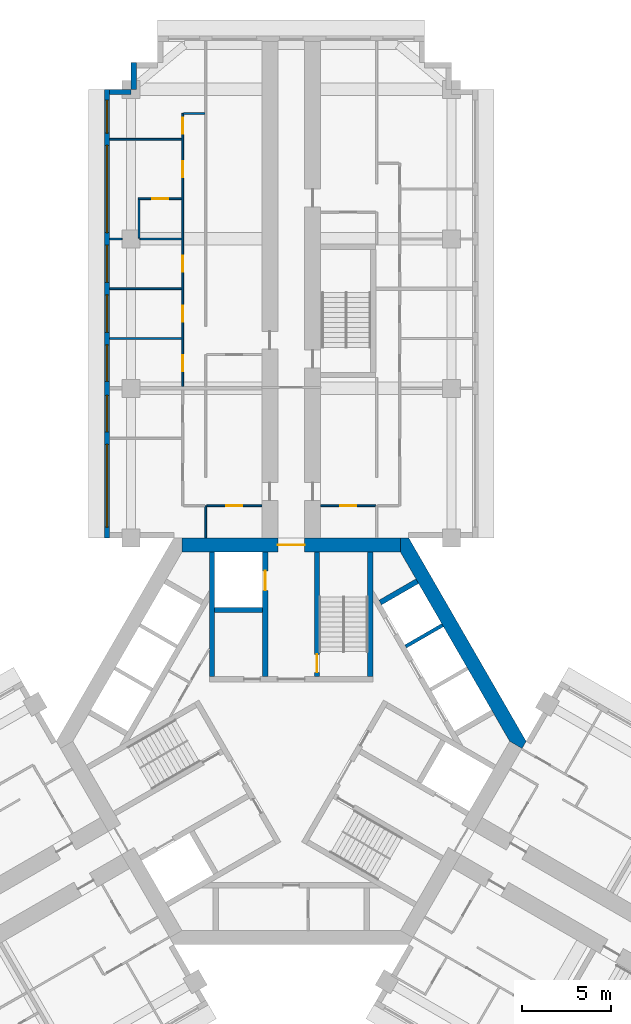
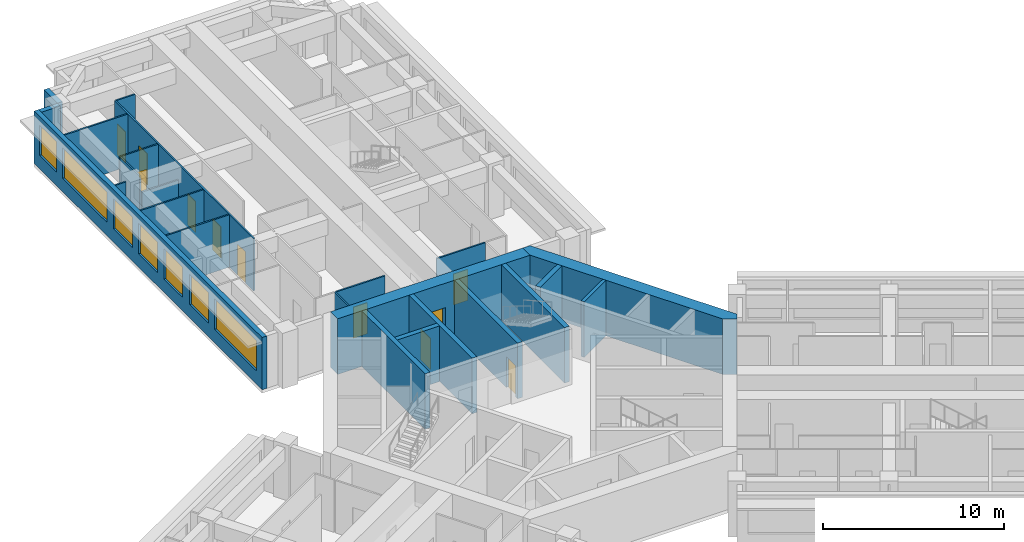
# One storey, part 8 of 12: 24 walls, 11 doors, 7 windows, 18 openings.
"""IFC4 building model written with IfcOpenShell, lengths in metres."""

from ifc_helpers import new_model, si_unit, direction, frame, frame_2d, origin, place, context, subcontext, project, spatial, polyline, rectangle, outline, extrude, material, layer, layer_set, type_object, element, fill, save


model = new_model("IFC4")

# Units and contexts
model_context = context("Model", 3, precision=1e-05, world=origin(), true_north=direction((0.0, 1.0)))
body_context = subcontext(model_context, "Body", "Model", "MODEL_VIEW")
ifc_project = project(units=[si_unit("LENGTHUNIT", "METRE"), si_unit("AREAUNIT", "SQUARE_METRE"), si_unit("VOLUMEUNIT", "CUBIC_METRE"), si_unit("PLANEANGLEUNIT", "RADIAN"), si_unit("MASSUNIT", "GRAM", prefix="KILO")], contexts=[model_context])

# Site, building, storey
site_placement = place(None, origin())
site = spatial("IfcSite", under=ifc_project, at=site_placement, CompositionType="ELEMENT")
building_placement = place(site_placement, origin())
building = spatial("IfcBuilding", under=site, at=building_placement, Name="Impinga Residences", CompositionType="ELEMENT")
storey_placement = place(building_placement, frame((0.0, 0.0, 169.75)))
storey = spatial("IfcBuildingStorey", under=building, at=storey_placement, Name="L42", CompositionType="ELEMENT", Elevation=169.75)

# Wall, openings, windows
ifc_material_1 = material(Name="Terracotta rainscreen on blockwork", Category="masonry")
ifc_layer_1 = layer(ifc_material_1, 0.300048828125)
ifc_layer_set_1 = layer_set([ifc_layer_1], Name="EW1 external wall, terracotta rainscreen on blockwork 300")
wall_type_1 = type_object("IfcWallType", Name="EW1 external wall, terracotta rainscreen on blockwork 300", PredefinedType="SOLIDWALL", material=ifc_layer_set_1)
wall_1_placement = place(storey_placement, frame((-10.35009765625, 11.431640625, 0.0), z_axis=(0.0, 0.0, 1.0), x_axis=(0.0, 1.0, 0.0)))
wall_1 = element("IfcWall", 1, at=wall_1_placement, inside=storey, type_object=wall_type_1, Name="External wall EW1 L42", PredefinedType="SOLIDWALL", context=body_context, shape_type="SweptSolid", body=[
    extrude(rectangle(XDim=25.199951171875, YDim=0.300048828125, at=frame_2d((12.60009765625, 0.0))), origin(), (0.0, 0.0, 1.0), 3.530029296875),
])
opening_1_placement = place(wall_1_placement, frame((0.60009765625, 0.0, 0.89990234375)))
opening_1 = element("IfcOpeningElement", 2, at=opening_1_placement, cuts=wall_1, Name="Opening W10", PredefinedType="OPENING", context=body_context, shape_type="SweptSolid", body=[
    extrude(rectangle(XDim=4.64990234375, YDim=2.050048828125, at=frame_2d((2.324951171875, 1.02490234375))), frame((0.0, 0.159912109375, 0.0), z_axis=(0.0, -1.0, 0.0), x_axis=(1.0, 0.0, 0.0)), (0.0, 0.0, 1.0), 0.320068359375),
])
opening_2_placement = place(wall_1_placement, frame((5.949951171875, 0.0, 0.89990234375)))
opening_2 = element("IfcOpeningElement", 3, at=opening_2_placement, cuts=wall_1, Name="Opening W14", PredefinedType="OPENING", context=body_context, shape_type="SweptSolid", body=[
    extrude(rectangle(XDim=2.050048828125, YDim=2.050048828125, at=frame_2d((1.02490234375, 1.02490234375))), frame((0.0, 0.159912109375, 0.0), z_axis=(0.0, -1.0, 0.0), x_axis=(1.0, 0.0, 0.0)), (0.0, 0.0, 1.0), 0.320068359375),
])
opening_3_placement = place(wall_1_placement, frame((8.800048828125, 0.0, 0.89990234375)))
opening_3 = element("IfcOpeningElement", 4, at=opening_3_placement, cuts=wall_1, Name="Opening W14", PredefinedType="OPENING", context=body_context, shape_type="SweptSolid", body=[
    extrude(rectangle(XDim=2.050048828125, YDim=2.050048828125, at=frame_2d((1.02490234375, 1.02490234375))), frame((0.0, 0.159912109375, 0.0), z_axis=(0.0, -1.0, 0.0), x_axis=(1.0, 0.0, 0.0)), (0.0, 0.0, 1.0), 0.320068359375),
])
opening_4_placement = place(wall_1_placement, frame((11.550048828125, 0.0, 0.89990234375)))
opening_4 = element("IfcOpeningElement", 5, at=opening_4_placement, cuts=wall_1, Name="Opening W9", PredefinedType="OPENING", context=body_context, shape_type="SweptSolid", body=[
    extrude(rectangle(XDim=2.10009765625, YDim=2.050048828125, at=frame_2d((1.050048828125, 1.02490234375))), frame((0.0, 0.159912109375, 0.0), z_axis=(0.0, -1.0, 0.0), x_axis=(1.0, 0.0, 0.0)), (0.0, 0.0, 1.0), 0.320068359375),
])
opening_5_placement = place(wall_1_placement, frame((14.35009765625, 0.0, 0.89990234375)))
opening_5 = element("IfcOpeningElement", 6, at=opening_5_placement, cuts=wall_1, Name="Opening W9", PredefinedType="OPENING", context=body_context, shape_type="SweptSolid", body=[
    extrude(rectangle(XDim=2.10009765625, YDim=2.050048828125, at=frame_2d((1.050048828125, 1.02490234375))), frame((0.0, 0.159912109375, 0.0), z_axis=(0.0, -1.0, 0.0), x_axis=(1.0, 0.0, 0.0)), (0.0, 0.0, 1.0), 0.320068359375),
])
opening_6_placement = place(wall_1_placement, frame((17.14990234375, 0.0, 0.89990234375)))
opening_6 = element("IfcOpeningElement", 7, at=opening_6_placement, cuts=wall_1, Name="Opening W16", PredefinedType="OPENING", context=body_context, shape_type="SweptSolid", body=[
    extrude(rectangle(XDim=4.89990234375, YDim=2.050048828125, at=frame_2d((2.449951171875, 1.02490234375))), frame((0.0, 0.159912109375, 0.0), z_axis=(0.0, -1.0, 0.0), x_axis=(1.0, 0.0, 0.0)), (0.0, 0.0, 1.0), 0.320068359375),
])
opening_7_placement = place(wall_1_placement, frame((22.75, 0.0, 0.89990234375)))
opening_7 = element("IfcOpeningElement", 8, at=opening_7_placement, cuts=wall_1, Name="Opening W15", PredefinedType="OPENING", context=body_context, shape_type="SweptSolid", body=[
    extrude(rectangle(XDim=1.85009765625, YDim=2.050048828125, at=frame_2d((0.925048828125, 1.02490234375))), frame((0.0, 0.159912109375, 0.0), z_axis=(0.0, -1.0, 0.0), x_axis=(1.0, 0.0, 0.0)), (0.0, 0.0, 1.0), 0.320068359375),
])
ifc_material_2 = material(Name="Aluminium window, clear double glazing", Category="aluminium")
window_type_1 = type_object("IfcWindowType", Name="W10 ribbon window 4650x2050", PartitioningType="SINGLE_PANEL", PredefinedType="WINDOW", material=ifc_material_2)
window_1_placement = place(opening_1_placement, origin())
window_1 = element("IfcWindow", 9, at=window_1_placement, inside=storey, type_object=window_type_1, Name="Window L42", OverallHeight=2.050048828125, OverallWidth=4.64990234375, PartitioningType="SINGLE_PANEL", PredefinedType="WINDOW", context=body_context, shape_type="SweptSolid", body=[
    extrude(rectangle(XDim=4.64990234375, YDim=2.050048828125, at=frame_2d((2.324951171875, 1.02490234375))), frame((0.0, 0.030029296875, 0.0), z_axis=(0.0, -1.0, 0.0), x_axis=(1.0, 0.0, 0.0)), (0.0, 0.0, 1.0), 0.06005859375),
])
fill(opening_1, window_1)
window_type_2 = type_object("IfcWindowType", Name="W14 ribbon window 2050x2050", PartitioningType="SINGLE_PANEL", PredefinedType="WINDOW", material=ifc_material_2)
window_2_placement = place(opening_2_placement, origin())
window_2 = element("IfcWindow", 10, at=window_2_placement, inside=storey, type_object=window_type_2, Name="Window L42", OverallHeight=2.050048828125, OverallWidth=2.050048828125, PartitioningType="SINGLE_PANEL", PredefinedType="WINDOW", context=body_context, shape_type="SweptSolid", body=[
    extrude(rectangle(XDim=2.050048828125, YDim=2.050048828125, at=frame_2d((1.02490234375, 1.02490234375))), frame((0.0, 0.030029296875, 0.0), z_axis=(0.0, -1.0, 0.0), x_axis=(1.0, 0.0, 0.0)), (0.0, 0.0, 1.0), 0.06005859375),
])
fill(opening_2, window_2)
window_3_placement = place(opening_3_placement, origin())
window_3 = element("IfcWindow", 11, at=window_3_placement, inside=storey, type_object=window_type_2, Name="Window L42", OverallHeight=2.050048828125, OverallWidth=2.050048828125, PartitioningType="SINGLE_PANEL", PredefinedType="WINDOW", context=body_context, shape_type="SweptSolid", body=[
    extrude(rectangle(XDim=2.050048828125, YDim=2.050048828125, at=frame_2d((1.02490234375, 1.02490234375))), frame((0.0, 0.030029296875, 0.0), z_axis=(0.0, -1.0, 0.0), x_axis=(1.0, 0.0, 0.0)), (0.0, 0.0, 1.0), 0.06005859375),
])
fill(opening_3, window_3)
window_type_3 = type_object("IfcWindowType", Name="W15 ribbon window 1850x2050", PartitioningType="SINGLE_PANEL", PredefinedType="WINDOW", material=ifc_material_2)
window_4_placement = place(opening_7_placement, origin())
window_4 = element("IfcWindow", 12, at=window_4_placement, inside=storey, type_object=window_type_3, Name="Window L42", OverallHeight=2.050048828125, OverallWidth=1.85009765625, PartitioningType="SINGLE_PANEL", PredefinedType="WINDOW", context=body_context, shape_type="SweptSolid", body=[
    extrude(rectangle(XDim=1.85009765625, YDim=2.050048828125, at=frame_2d((0.925048828125, 1.02490234375))), frame((0.0, 0.030029296875, 0.0), z_axis=(0.0, -1.0, 0.0), x_axis=(1.0, 0.0, 0.0)), (0.0, 0.0, 1.0), 0.06005859375),
])
fill(opening_7, window_4)
window_type_4 = type_object("IfcWindowType", Name="W16 ribbon window 4900x2050", PartitioningType="SINGLE_PANEL", PredefinedType="WINDOW", material=ifc_material_2)
window_5_placement = place(opening_6_placement, origin())
window_5 = element("IfcWindow", 13, at=window_5_placement, inside=storey, type_object=window_type_4, Name="Window L42", OverallHeight=2.050048828125, OverallWidth=4.89990234375, PartitioningType="SINGLE_PANEL", PredefinedType="WINDOW", context=body_context, shape_type="SweptSolid", body=[
    extrude(rectangle(XDim=4.89990234375, YDim=2.050048828125, at=frame_2d((2.449951171875, 1.02490234375))), frame((0.0, 0.030029296875, 0.0), z_axis=(0.0, -1.0, 0.0), x_axis=(1.0, 0.0, 0.0)), (0.0, 0.0, 1.0), 0.06005859375),
])
fill(opening_6, window_5)
window_type_5 = type_object("IfcWindowType", Name="W9 ribbon window 2100x2050", PartitioningType="SINGLE_PANEL", PredefinedType="WINDOW", material=ifc_material_2)
window_6_placement = place(opening_4_placement, origin())
window_6 = element("IfcWindow", 14, at=window_6_placement, inside=storey, type_object=window_type_5, Name="Window L42", OverallHeight=2.050048828125, OverallWidth=2.10009765625, PartitioningType="SINGLE_PANEL", PredefinedType="WINDOW", context=body_context, shape_type="SweptSolid", body=[
    extrude(rectangle(XDim=2.10009765625, YDim=2.050048828125, at=frame_2d((1.050048828125, 1.02490234375))), frame((0.0, 0.030029296875, 0.0), z_axis=(0.0, -1.0, 0.0), x_axis=(1.0, 0.0, 0.0)), (0.0, 0.0, 1.0), 0.06005859375),
])
fill(opening_4, window_6)
window_7_placement = place(opening_5_placement, origin())
window_7 = element("IfcWindow", 15, at=window_7_placement, inside=storey, type_object=window_type_5, Name="Window L42", OverallHeight=2.050048828125, OverallWidth=2.10009765625, PartitioningType="SINGLE_PANEL", PredefinedType="WINDOW", context=body_context, shape_type="SweptSolid", body=[
    extrude(rectangle(XDim=2.10009765625, YDim=2.050048828125, at=frame_2d((1.050048828125, 1.02490234375))), frame((0.0, 0.030029296875, 0.0), z_axis=(0.0, -1.0, 0.0), x_axis=(1.0, 0.0, 0.0)), (0.0, 0.0, 1.0), 0.06005859375),
])
fill(opening_5, window_7)

# Walls
wall_2_placement = place(storey_placement, frame((-10.199951171875, 36.4814453125, 0.0), z_axis=(0.0, 0.0, 1.0), x_axis=(1.0, 0.0, 0.0)))
element("IfcWall", 16, at=wall_2_placement, inside=storey, type_object=wall_type_1, Name="External wall EW1 L42", PredefinedType="SOLIDWALL", context=body_context, shape_type="SweptSolid", body=[
    extrude(rectangle(XDim=1.199951171875, YDim=0.300048828125, at=frame_2d((0.60009765625, 0.0))), origin(), (0.0, 0.0, 1.0), 3.530029296875),
])
wall_3_placement = place(storey_placement, frame((-8.85009765625, 36.636474609375, 0.0), z_axis=(0.0, 0.0, 1.0), x_axis=(0.0, 1.0, 0.0)))
element("IfcWall", 17, at=wall_3_placement, inside=storey, type_object=wall_type_1, Name="External wall EW1 L42", PredefinedType="SOLIDWALL", context=body_context, shape_type="SweptSolid", body=[
    extrude(rectangle(XDim=1.4951171875, YDim=0.300048828125, at=frame_2d((0.74755859375, 0.0))), origin(), (0.0, 0.0, 1.0), 3.530029296875),
])
ifc_material_3 = material(Name="Gypsum board on steel studs", Category="steel")
ifc_layer_2 = layer(ifc_material_3, 0.10009765625)
ifc_layer_set_2 = layer_set([ifc_layer_2], Name="Gypsum board on steel studs")
wall_type_2 = type_object("IfcWallType", Name="IP1 partition 100", PredefinedType="PARTITIONING", material=ifc_layer_set_2)
wall_4_placement = place(storey_placement, frame((-4.800048828125, 11.431640625, 0.0), z_axis=(0.0, 0.0, 1.0), x_axis=(0.0, 1.0, 0.0)))
element("IfcWall", 18, at=wall_4_placement, inside=storey, type_object=wall_type_2, Name="Partition L42-NA1:DIV0", PredefinedType="PARTITIONING", context=body_context, shape_type="SweptSolid", body=[
    extrude(rectangle(XDim=1.7998046875, YDim=0.10009765625, at=frame_2d((0.89990234375, 0.0))), origin(), (0.0, 0.0, 1.0), 3.530029296875),
])

# Wall, opening, door
wall_5_placement = place(storey_placement, frame((-1.64990234375, 13.2314453125, 0.0), z_axis=(0.0, 0.0, 1.0), x_axis=(-1.0, 0.0, 0.0)))
wall_5 = element("IfcWall", 19, at=wall_5_placement, inside=storey, type_object=wall_type_2, Name="Partition L42-NA1:IB1", PredefinedType="PARTITIONING", context=body_context, shape_type="SweptSolid", body=[
    extrude(rectangle(XDim=3.10009765625, YDim=0.10009765625, at=frame_2d((1.550048828125, 0.0))), origin(), (0.0, 0.0, 1.0), 3.530029296875),
])
opening_8_placement = place(wall_5_placement, frame((1.10009765625, 0.0, 0.0)))
opening_8 = element("IfcOpeningElement", 20, at=opening_8_placement, cuts=wall_5, Name="Opening D2", PredefinedType="OPENING", context=body_context, shape_type="SweptSolid", body=[
    extrude(rectangle(XDim=0.89990234375, YDim=2.10009765625, at=frame_2d((0.449951171875, 1.050048828125))), frame((0.0, 0.06005859375, 0.0), z_axis=(0.0, -1.0, 0.0), x_axis=(1.0, 0.0, 0.0)), (0.0, 0.0, 1.0), 0.1201171875),
])
ifc_material_4 = material(Name="Timber door set", Category="wood")
door_type_1 = type_object("IfcDoorType", Name="D2 internal door 900x2100", OperationType="SINGLE_SWING_LEFT", PredefinedType="DOOR", material=ifc_material_4)
door_1_placement = place(opening_8_placement, origin())
door_1 = element("IfcDoor", 21, at=door_1_placement, inside=storey, type_object=door_type_1, Name="Apartment L42-NA1 bathroom door", OperationType="SINGLE_SWING_LEFT", OverallHeight=2.10009765625, OverallWidth=0.89990234375, PredefinedType="DOOR", context=body_context, shape_type="SweptSolid", body=[
    extrude(rectangle(XDim=0.89990234375, YDim=2.10009765625, at=frame_2d((0.449951171875, 1.050048828125))), frame((0.0, 0.02490234375, 0.0), z_axis=(0.0, -1.0, 0.0), x_axis=(1.0, 0.0, 0.0)), (0.0, 0.0, 1.0), 0.050048828125),
])
fill(opening_8, door_1)

# Wall, openings, doors
wall_6_placement = place(storey_placement, frame((-6.10009765625, 19.931640625, 0.0), z_axis=(0.0, 0.0, 1.0), x_axis=(0.0, 1.0, 0.0)))
wall_6 = element("IfcWall", 22, at=wall_6_placement, inside=storey, type_object=wall_type_2, Name="Partition L42-NA2:STRIP", PredefinedType="PARTITIONING", context=body_context, shape_type="SweptSolid", body=[
    extrude(rectangle(XDim=15.349853515625, YDim=0.10009765625, at=frame_2d((7.6748046875, 0.0))), origin(), (0.0, 0.0, 1.0), 3.530029296875),
])
opening_9_placement = place(wall_6_placement, frame((0.875, 0.0, 0.0)))
opening_9 = element("IfcOpeningElement", 23, at=opening_9_placement, cuts=wall_6, Name="Opening D2", PredefinedType="OPENING", context=body_context, shape_type="SweptSolid", body=[
    extrude(rectangle(XDim=0.89990234375, YDim=2.10009765625, at=frame_2d((0.449951171875, 1.050048828125))), frame((0.0, 0.06005859375, 0.0), z_axis=(0.0, -1.0, 0.0), x_axis=(1.0, 0.0, 0.0)), (0.0, 0.0, 1.0), 0.1201171875),
])
opening_10_placement = place(wall_6_placement, frame((3.64990234375, 0.0, 0.0)))
opening_10 = element("IfcOpeningElement", 24, at=opening_10_placement, cuts=wall_6, Name="Opening D2", PredefinedType="OPENING", context=body_context, shape_type="SweptSolid", body=[
    extrude(rectangle(XDim=0.89990234375, YDim=2.10009765625, at=frame_2d((0.449951171875, 1.050048828125))), frame((0.0, 0.06005859375, 0.0), z_axis=(0.0, -1.0, 0.0), x_axis=(1.0, 0.0, 0.0)), (0.0, 0.0, 1.0), 0.1201171875),
])
opening_11_placement = place(wall_6_placement, frame((6.449951171875, 0.0, 0.0)))
opening_11 = element("IfcOpeningElement", 25, at=opening_11_placement, cuts=wall_6, Name="Opening D2", PredefinedType="OPENING", context=body_context, shape_type="SweptSolid", body=[
    extrude(rectangle(XDim=0.89990234375, YDim=2.10009765625, at=frame_2d((0.449951171875, 1.050048828125))), frame((0.0, 0.06005859375, 0.0), z_axis=(0.0, -1.0, 0.0), x_axis=(1.0, 0.0, 0.0)), (0.0, 0.0, 1.0), 0.1201171875),
])
opening_12_placement = place(wall_6_placement, frame((11.77490234375, 0.0, 0.0)))
opening_12 = element("IfcOpeningElement", 26, at=opening_12_placement, cuts=wall_6, Name="Opening D2", PredefinedType="OPENING", context=body_context, shape_type="SweptSolid", body=[
    extrude(rectangle(XDim=0.89990234375, YDim=2.10009765625, at=frame_2d((0.449951171875, 1.050048828125))), frame((0.0, 0.06005859375, 0.0), z_axis=(0.0, -1.0, 0.0), x_axis=(1.0, 0.0, 0.0)), (0.0, 0.0, 1.0), 0.1201171875),
])
opening_13_placement = place(wall_6_placement, frame((14.199951171875, 0.0, 0.0)))
opening_13 = element("IfcOpeningElement", 27, at=opening_13_placement, cuts=wall_6, Name="Opening D2", PredefinedType="OPENING", context=body_context, shape_type="SweptSolid", body=[
    extrude(rectangle(XDim=0.89990234375, YDim=2.10009765625, at=frame_2d((0.449951171875, 1.050048828125))), frame((0.0, 0.06005859375, 0.0), z_axis=(0.0, -1.0, 0.0), x_axis=(1.0, 0.0, 0.0)), (0.0, 0.0, 1.0), 0.1201171875),
])
door_2_placement = place(opening_9_placement, origin())
door_2 = element("IfcDoor", 28, at=door_2_placement, inside=storey, type_object=door_type_1, Name="Apartment L42-NA2 room door", OperationType="SINGLE_SWING_LEFT", OverallHeight=2.10009765625, OverallWidth=0.89990234375, PredefinedType="DOOR", context=body_context, shape_type="SweptSolid", body=[
    extrude(rectangle(XDim=0.89990234375, YDim=2.10009765625, at=frame_2d((0.449951171875, 1.050048828125))), frame((0.0, 0.02490234375, 0.0), z_axis=(0.0, -1.0, 0.0), x_axis=(1.0, 0.0, 0.0)), (0.0, 0.0, 1.0), 0.050048828125),
])
fill(opening_9, door_2)
door_3_placement = place(opening_10_placement, origin())
door_3 = element("IfcDoor", 29, at=door_3_placement, inside=storey, type_object=door_type_1, Name="Apartment L42-NA2 room door", OperationType="SINGLE_SWING_LEFT", OverallHeight=2.10009765625, OverallWidth=0.89990234375, PredefinedType="DOOR", context=body_context, shape_type="SweptSolid", body=[
    extrude(rectangle(XDim=0.89990234375, YDim=2.10009765625, at=frame_2d((0.449951171875, 1.050048828125))), frame((0.0, 0.02490234375, 0.0), z_axis=(0.0, -1.0, 0.0), x_axis=(1.0, 0.0, 0.0)), (0.0, 0.0, 1.0), 0.050048828125),
])
fill(opening_10, door_3)
door_4_placement = place(opening_11_placement, origin())
door_4 = element("IfcDoor", 30, at=door_4_placement, inside=storey, type_object=door_type_1, Name="Apartment L42-NA2 room door", OperationType="SINGLE_SWING_LEFT", OverallHeight=2.10009765625, OverallWidth=0.89990234375, PredefinedType="DOOR", context=body_context, shape_type="SweptSolid", body=[
    extrude(rectangle(XDim=0.89990234375, YDim=2.10009765625, at=frame_2d((0.449951171875, 1.050048828125))), frame((0.0, 0.02490234375, 0.0), z_axis=(0.0, -1.0, 0.0), x_axis=(1.0, 0.0, 0.0)), (0.0, 0.0, 1.0), 0.050048828125),
])
fill(opening_11, door_4)
door_5_placement = place(opening_12_placement, origin())
door_5 = element("IfcDoor", 31, at=door_5_placement, inside=storey, type_object=door_type_1, Name="Apartment L42-NA2 room door", OperationType="SINGLE_SWING_RIGHT", OverallHeight=2.10009765625, OverallWidth=0.89990234375, PredefinedType="DOOR", context=body_context, shape_type="SweptSolid", body=[
    extrude(rectangle(XDim=0.89990234375, YDim=2.10009765625, at=frame_2d((0.449951171875, 1.050048828125))), frame((0.0, 0.02490234375, 0.0), z_axis=(0.0, -1.0, 0.0), x_axis=(1.0, 0.0, 0.0)), (0.0, 0.0, 1.0), 0.050048828125),
])
fill(opening_12, door_5)
door_6_placement = place(opening_13_placement, origin())
door_6 = element("IfcDoor", 32, at=door_6_placement, inside=storey, type_object=door_type_1, Name="Apartment L42-NA2 room door", OperationType="SINGLE_SWING_RIGHT", OverallHeight=2.10009765625, OverallWidth=0.89990234375, PredefinedType="DOOR", context=body_context, shape_type="SweptSolid", body=[
    extrude(rectangle(XDim=0.89990234375, YDim=2.10009765625, at=frame_2d((0.449951171875, 1.050048828125))), frame((0.0, 0.02490234375, 0.0), z_axis=(0.0, -1.0, 0.0), x_axis=(1.0, 0.0, 0.0)), (0.0, 0.0, 1.0), 0.050048828125),
])
fill(opening_13, door_6)

# Walls
wall_7_placement = place(storey_placement, frame((-4.85009765625, 35.281494140625, 0.0), z_axis=(0.0, 0.0, 1.0), x_axis=(-1.0, 0.0, 0.0)))
element("IfcWall", 33, at=wall_7_placement, inside=storey, type_object=wall_type_2, Name="Partition L42-NA2:SE1", PredefinedType="PARTITIONING", context=body_context, shape_type="SweptSolid", body=[
    extrude(rectangle(XDim=1.199951171875, YDim=0.10009765625, at=frame_2d((0.60009765625, 0.0))), origin(), (0.0, 0.0, 1.0), 3.530029296875),
])
for number, where, z_axis, x_axis, name in (
    (34, (-6.14990234375, 22.631591796875, 0.0), (0.0, 0.0, 1.0), (-1.0, 0.0, 0.0), "Partition L42-NA2:OB1"),
    (35, (-6.14990234375, 25.431640625, 0.0), (0.0, 0.0, 1.0), (-1.0, 0.0, 0.0), "Partition L42-NA2:OB2"),
):
    element("IfcWall", number, at=place(storey_placement, frame(where, z_axis=z_axis, x_axis=x_axis)), inside=storey, type_object=wall_type_2, Name=name, PredefinedType="PARTITIONING", context=body_context, shape_type="SweptSolid", body=[
        extrude(rectangle(XDim=4.050048828125, YDim=0.10009765625, at=frame_2d((2.02490234375, 0.0))), origin(), (0.0, 0.0, 1.0), 3.530029296875),
    ])
wall_8_placement = place(storey_placement, frame((-6.14990234375, 28.2314453125, 0.0), z_axis=(0.0, 0.0, 1.0), x_axis=(-1.0, 0.0, 0.0)))
element("IfcWall", 36, at=wall_8_placement, inside=storey, type_object=wall_type_2, Name="Partition L42-NA2:OB3", PredefinedType="PARTITIONING", context=body_context, shape_type="SweptSolid", body=[
    extrude(rectangle(XDim=2.35009765625, YDim=0.10009765625, at=frame_2d((1.175048828125, 0.0))), origin(), (0.0, 0.0, 1.0), 2.47998046875),
])
wall_9_placement = place(storey_placement, frame((-9.5, 28.2314453125, 0.0), z_axis=(0.0, 0.0, 1.0), x_axis=(-1.0, 0.0, 0.0)))
element("IfcWall", 37, at=wall_9_placement, inside=storey, type_object=wall_type_2, Name="Partition L42-NA2:OB3b", PredefinedType="PARTITIONING", context=body_context, shape_type="SweptSolid", body=[
    extrude(rectangle(XDim=0.699951171875, YDim=0.10009765625, at=frame_2d((0.35009765625, 0.0))), origin(), (0.0, 0.0, 1.0), 3.530029296875),
])
wall_10_placement = place(storey_placement, frame((-6.14990234375, 33.83154296875, 0.0), z_axis=(0.0, 0.0, 1.0), x_axis=(-1.0, 0.0, 0.0)))
element("IfcWall", 38, at=wall_10_placement, inside=storey, type_object=wall_type_2, Name="Partition L42-NA2:OB4", PredefinedType="PARTITIONING", context=body_context, shape_type="SweptSolid", body=[
    extrude(rectangle(XDim=4.050048828125, YDim=0.10009765625, at=frame_2d((2.02490234375, 0.0))), origin(), (0.0, 0.0, 1.0), 3.530029296875),
])

# Wall, opening, door
wall_11_placement = place(storey_placement, frame((-6.14990234375, 30.4814453125, 0.0), z_axis=(0.0, 0.0, 1.0), x_axis=(-1.0, 0.0, 0.0)))
wall_11 = element("IfcWall", 39, at=wall_11_placement, inside=storey, type_object=wall_type_2, Name="Partition L42-NA2:EN1", PredefinedType="PARTITIONING", context=body_context, shape_type="SweptSolid", body=[
    extrude(rectangle(XDim=2.4501953125, YDim=0.10009765625, at=frame_2d((1.22509765625, 0.0))), origin(), (0.0, 0.0, 1.0), 3.530029296875),
])
opening_14_placement = place(wall_11_placement, frame((0.75, 0.0, 0.0)))
opening_14 = element("IfcOpeningElement", 40, at=opening_14_placement, cuts=wall_11, Name="Opening D2", PredefinedType="OPENING", context=body_context, shape_type="SweptSolid", body=[
    extrude(rectangle(XDim=0.89990234375, YDim=2.10009765625, at=frame_2d((0.449951171875, 1.050048828125))), frame((0.0, 0.06005859375, 0.0), z_axis=(0.0, -1.0, 0.0), x_axis=(1.0, 0.0, 0.0)), (0.0, 0.0, 1.0), 0.1201171875),
])
door_7_placement = place(opening_14_placement, origin())
door_7 = element("IfcDoor", 41, at=door_7_placement, inside=storey, type_object=door_type_1, Name="Apartment L42-NA2 en-suite door", OperationType="SINGLE_SWING_LEFT", OverallHeight=2.10009765625, OverallWidth=0.89990234375, PredefinedType="DOOR", context=body_context, shape_type="SweptSolid", body=[
    extrude(rectangle(XDim=0.89990234375, YDim=2.10009765625, at=frame_2d((0.449951171875, 1.050048828125))), frame((0.0, 0.02490234375, 0.0), z_axis=(0.0, -1.0, 0.0), x_axis=(1.0, 0.0, 0.0)), (0.0, 0.0, 1.0), 0.050048828125),
])
fill(opening_14, door_7)

# Wall
wall_12_placement = place(storey_placement, frame((-8.550048828125, 28.281494140625, 0.0), z_axis=(0.0, 0.0, 1.0), x_axis=(0.0, 1.0, 0.0)))
element("IfcWall", 42, at=wall_12_placement, inside=storey, type_object=wall_type_2, Name="Partition L42-NA2:EN2", PredefinedType="PARTITIONING", context=body_context, shape_type="SweptSolid", body=[
    extrude(rectangle(XDim=2.150146484375, YDim=0.10009765625, at=frame_2d((1.0751953125, 0.0))), origin(), (0.0, 0.0, 1.0), 3.530029296875),
])

# Wall, opening, door
wall_13_placement = place(storey_placement, frame((1.64990234375, 13.2314453125, 0.0), z_axis=(0.0, 0.0, 1.0), x_axis=(1.0, 0.0, 0.0)))
wall_13 = element("IfcWall", 43, at=wall_13_placement, inside=storey, type_object=wall_type_2, Name="Partition L42-NF1:IB1", PredefinedType="PARTITIONING", context=body_context, shape_type="SweptSolid", body=[
    extrude(rectangle(XDim=3.10009765625, YDim=0.10009765625, at=frame_2d((1.550048828125, 0.0))), origin(), (0.0, 0.0, 1.0), 3.530029296875),
])
opening_15_placement = place(wall_13_placement, frame((1.10009765625, 0.0, 0.0)))
opening_15 = element("IfcOpeningElement", 44, at=opening_15_placement, cuts=wall_13, Name="Opening D2", PredefinedType="OPENING", context=body_context, shape_type="SweptSolid", body=[
    extrude(rectangle(XDim=0.89990234375, YDim=2.10009765625, at=frame_2d((0.449951171875, 1.050048828125))), frame((0.0, 0.06005859375, 0.0), z_axis=(0.0, -1.0, 0.0), x_axis=(1.0, 0.0, 0.0)), (0.0, 0.0, 1.0), 0.1201171875),
])
door_8_placement = place(opening_15_placement, origin())
door_8 = element("IfcDoor", 45, at=door_8_placement, inside=storey, type_object=door_type_1, Name="Apartment L42-NF1 bathroom door", OperationType="SINGLE_SWING_LEFT", OverallHeight=2.10009765625, OverallWidth=0.89990234375, PredefinedType="DOOR", context=body_context, shape_type="SweptSolid", body=[
    extrude(rectangle(XDim=0.89990234375, YDim=2.10009765625, at=frame_2d((0.449951171875, 1.050048828125))), frame((0.0, 0.02490234375, 0.0), z_axis=(0.0, -1.0, 0.0), x_axis=(1.0, 0.0, 0.0)), (0.0, 0.0, 1.0), 0.050048828125),
])
fill(opening_15, door_8)

ifc_material_5 = material(Name="Concrete C60/75", Category="concrete")
ifc_layer_3 = layer(ifc_material_5, 0.800048828125)
ifc_layer_set_3 = layer_set([ifc_layer_3], Name="Concrete C60/75")
wall_type_3 = type_object("IfcWallType", Name="SW2 core wall 800", PredefinedType="SHEAR", material=ifc_layer_set_3)
wall_14_placement = place(storey_placement, frame((-6.13818359375, 11.031494140625, 0.0), z_axis=(0.0, 0.0, 1.0), x_axis=(1.0, 0.0, 0.0)))
wall_14 = element("IfcWall", 46, at=wall_14_placement, inside=storey, type_object=wall_type_3, Name="Core wall SW2 N:FACE L42", PredefinedType="SHEAR", context=body_context, shape_type="SweptSolid", body=[
    extrude(rectangle(XDim=12.2763671875, YDim=0.800048828125, at=frame_2d((6.13818359375, 0.0))), origin(), (0.0, 0.0, 1.0), 3.75),
])
opening_16_placement = place(wall_14_placement, frame((5.38818359375, 0.0, 0.0)))
opening_16 = element("IfcOpeningElement", 47, at=opening_16_placement, cuts=wall_14, Name="Opening D4", PredefinedType="OPENING", context=body_context, shape_type="SweptSolid", body=[
    extrude(rectangle(XDim=1.5, YDim=2.10009765625, at=frame_2d((0.75, 1.050048828125))), frame((0.0, 0.409912109375, 0.0), z_axis=(0.0, -1.0, 0.0), x_axis=(1.0, 0.0, 0.0)), (0.0, 0.0, 1.0), 0.820068359375),
])
door_type_2 = type_object("IfcDoorType", Name="D4 lobby door pair 1500x2100", OperationType="DOUBLE_DOOR_DOUBLE_SWING", PredefinedType="DOOR", material=ifc_material_4)
door_9_placement = place(opening_16_placement, origin())
door_9 = element("IfcDoor", 48, at=door_9_placement, inside=storey, type_object=door_type_2, Name="Lobby door N", OperationType="DOUBLE_DOOR_DOUBLE_SWING", OverallHeight=2.10009765625, OverallWidth=1.5, PredefinedType="DOOR", context=body_context, shape_type="SweptSolid", body=[
    extrude(rectangle(XDim=1.5, YDim=2.10009765625, at=frame_2d((0.75, 1.050048828125))), frame((0.0, 0.02490234375, 0.0), z_axis=(0.0, -1.0, 0.0), x_axis=(1.0, 0.0, 0.0)), (0.0, 0.0, 1.0), 0.050048828125),
])
fill(opening_16, door_9)

# Wall
wall_15_placement = place(storey_placement, origin())
element("IfcWall", 49, at=wall_15_placement, inside=storey, type_object=wall_type_3, Name="Core wall SW2 W:EXPOSED L42", PredefinedType="SHEAR", context=body_context, shape_type="SweptSolid", body=[
    extrude(outline(polyline([(13.199951171875, 0.0), (6.60009765625, 11.431640625), (6.13818359375, 11.431640625), (6.13818359375, 10.631591796875), (12.276123046875, 0.0), (12.968994140625, -0.39990234375), (13.199951171875, 0.0)])), origin(), (0.0, 0.0, 1.0), 3.75),
])

# Wall, opening, door
ifc_material_6 = material(Name="Concrete C70/85", Category="concrete")
ifc_layer_4 = layer(ifc_material_6, 0.300048828125)
ifc_layer_set_4 = layer_set([ifc_layer_4], Name="Concrete C70/85")
wall_type_4 = type_object("IfcWallType", Name="SW5 core inner wall, stairs, shafts and lobbies 300", PredefinedType="SHEAR", material=ifc_layer_set_4)
wall_16_placement = place(storey_placement, frame((1.449951171875, 3.6298828125, 0.0), z_axis=(0.0, 0.0, 1.0), x_axis=(0.0, 1.0, 0.0)))
wall_16 = element("IfcWall", 50, at=wall_16_placement, inside=storey, type_object=wall_type_4, Name="Core wall SW5 N:ST-IN L42", PredefinedType="SHEAR", context=body_context, shape_type="SweptSolid", body=[
    extrude(rectangle(XDim=7.001708984375, YDim=0.300048828125, at=frame_2d((3.5009765625, 0.0))), origin(), (0.0, 0.0, 1.0), 3.75),
])
opening_17_placement = place(wall_16_placement, frame((0.25, 0.0, 0.0)))
opening_17 = element("IfcOpeningElement", 51, at=opening_17_placement, cuts=wall_16, Name="Opening D5", PredefinedType="OPENING", context=body_context, shape_type="SweptSolid", body=[
    extrude(rectangle(XDim=1.0, YDim=2.10009765625, at=frame_2d((0.5, 1.050048828125))), frame((0.0, 0.159912109375, 0.0), z_axis=(0.0, -1.0, 0.0), x_axis=(1.0, 0.0, 0.0)), (0.0, 0.0, 1.0), 0.320068359375),
])
door_type_3 = type_object("IfcDoorType", Name="D5 stair door 1000x2100", OperationType="SINGLE_SWING_LEFT", PredefinedType="DOOR", material=ifc_material_4)
door_10_placement = place(opening_17_placement, origin())
door_10 = element("IfcDoor", 52, at=door_10_placement, inside=storey, type_object=door_type_3, Name="Stair door N", OperationType="SINGLE_SWING_LEFT", OverallHeight=2.10009765625, OverallWidth=1.0, PredefinedType="DOOR", context=body_context, shape_type="SweptSolid", body=[
    extrude(rectangle(XDim=1.0, YDim=2.10009765625, at=frame_2d((0.5, 1.050048828125))), frame((0.0, 0.02490234375, 0.0), z_axis=(0.0, -1.0, 0.0), x_axis=(1.0, 0.0, 0.0)), (0.0, 0.0, 1.0), 0.050048828125),
])
fill(opening_17, door_10)

# Wall
wall_17_placement = place(storey_placement, frame((4.449951171875, 3.6298828125, 0.0), z_axis=(0.0, 0.0, 1.0), x_axis=(0.0, 1.0, 0.0)))
element("IfcWall", 53, at=wall_17_placement, inside=storey, type_object=wall_type_4, Name="Core wall SW5 N:ST-OUT L42", PredefinedType="SHEAR", context=body_context, shape_type="SweptSolid", body=[
    extrude(rectangle(XDim=7.001708984375, YDim=0.300048828125, at=frame_2d((3.5009765625, 0.0))), origin(), (0.0, 0.0, 1.0), 3.75),
])

# Wall, opening, door
wall_18_placement = place(storey_placement, frame((-1.449951171875, 3.6298828125, 0.0), z_axis=(0.0, 0.0, 1.0), x_axis=(0.0, 1.0, 0.0)))
wall_18 = element("IfcWall", 54, at=wall_18_placement, inside=storey, type_object=wall_type_4, Name="Core wall SW5 N:FF-IN L42", PredefinedType="SHEAR", context=body_context, shape_type="SweptSolid", body=[
    extrude(rectangle(XDim=7.001708984375, YDim=0.300048828125, at=frame_2d((3.5009765625, 0.0))), origin(), (0.0, 0.0, 1.0), 3.75),
])
opening_18_placement = place(wall_18_placement, frame((4.85009765625, 0.0, 0.0)))
opening_18 = element("IfcOpeningElement", 55, at=opening_18_placement, cuts=wall_18, Name="Opening LD2", PredefinedType="OPENING", context=body_context, shape_type="SweptSolid", body=[
    extrude(rectangle(XDim=1.10009765625, YDim=2.10009765625, at=frame_2d((0.550048828125, 1.050048828125))), frame((0.0, 0.159912109375, 0.0), z_axis=(0.0, -1.0, 0.0), x_axis=(1.0, 0.0, 0.0)), (0.0, 0.0, 1.0), 0.320068359375),
])
ifc_material_7 = material(Name="Steel lift landing door", Category="steel")
door_type_4 = type_object("IfcDoorType", Name="LD2 firefighting lift landing door 1100x2100", OperationType="DOUBLE_DOOR_SLIDING", PredefinedType="DOOR", material=ifc_material_7)
door_11_placement = place(opening_18_placement, origin())
door_11 = element("IfcDoor", 56, at=door_11_placement, inside=storey, type_object=door_type_4, Name="Firefighting lift landing door F1", OperationType="DOUBLE_DOOR_SLIDING", OverallHeight=2.10009765625, OverallWidth=1.10009765625, PredefinedType="DOOR", context=body_context, shape_type="SweptSolid", body=[
    extrude(rectangle(XDim=1.10009765625, YDim=2.10009765625, at=frame_2d((0.550048828125, 1.050048828125))), frame((0.0, 0.02490234375, 0.0), z_axis=(0.0, -1.0, 0.0), x_axis=(1.0, 0.0, 0.0)), (0.0, 0.0, 1.0), 0.050048828125),
])
fill(opening_18, door_11)

# Walls
wall_19_placement = place(storey_placement, frame((-4.449951171875, 3.6298828125, 0.0), z_axis=(0.0, 0.0, 1.0), x_axis=(0.0, 1.0, 0.0)))
element("IfcWall", 57, at=wall_19_placement, inside=storey, type_object=wall_type_4, Name="Core wall SW5 N:FF-OUT L42", PredefinedType="SHEAR", context=body_context, shape_type="SweptSolid", body=[
    extrude(rectangle(XDim=7.001708984375, YDim=0.300048828125, at=frame_2d((3.5009765625, 0.0))), origin(), (0.0, 0.0, 1.0), 3.75),
])
wall_20_placement = place(storey_placement, frame((-4.300048828125, 7.3798828125, 0.0), z_axis=(0.0, 0.0, 1.0), x_axis=(1.0, 0.0, 0.0)))
element("IfcWall", 58, at=wall_20_placement, inside=storey, type_object=wall_type_4, Name="Core wall SW5 N:FF-RS L42", PredefinedType="SHEAR", context=body_context, shape_type="SweptSolid", body=[
    extrude(rectangle(XDim=2.699951171875, YDim=0.300048828125, at=frame_2d((1.35009765625, 0.0))), origin(), (0.0, 0.0, 1.0), 3.75),
])
wall_21_placement = place(storey_placement, frame((5.003662109375, 7.79638671875, 0.0), z_axis=(0.0, 0.0, 1.0), x_axis=(0.866050077142, 0.499957262057, 0.0)))
element("IfcWall", 59, at=wall_21_placement, inside=storey, type_object=wall_type_4, Name="Core wall SW5 W:BANK-L L42", PredefinedType="SHEAR", context=body_context, shape_type="SweptSolid", body=[
    extrude(rectangle(XDim=2.400146484375, YDim=0.300048828125, at=frame_2d((1.2001953125, 0.0))), origin(), (0.0, 0.0, 1.0), 3.75),
])
ifc_layer_5 = layer(ifc_material_6, 0.199951171875)
ifc_layer_set_5 = layer_set([ifc_layer_5], Name="Concrete C70/85")
wall_type_5 = type_object("IfcWallType", Name="SW6 lift shaft divider wall 200", PredefinedType="SHEAR", material=ifc_layer_set_5)
wall_22_placement = place(storey_placement, frame((6.4287109375, 5.328125, 0.0), z_axis=(0.0, 0.0, 1.0), x_axis=(0.865980596518, 0.500077600433, 0.0)))
element("IfcWall", 60, at=wall_22_placement, inside=storey, type_object=wall_type_5, Name="Core wall SW6 W:BANK-D1 L42", PredefinedType="SHEAR", context=body_context, shape_type="SweptSolid", body=[
    extrude(rectangle(XDim=2.39990234375, YDim=0.199951171875, at=frame_2d((1.199951171875, 0.0))), origin(), (0.0, 0.0, 1.0), 3.75),
])

save(model, "model.ifc")
